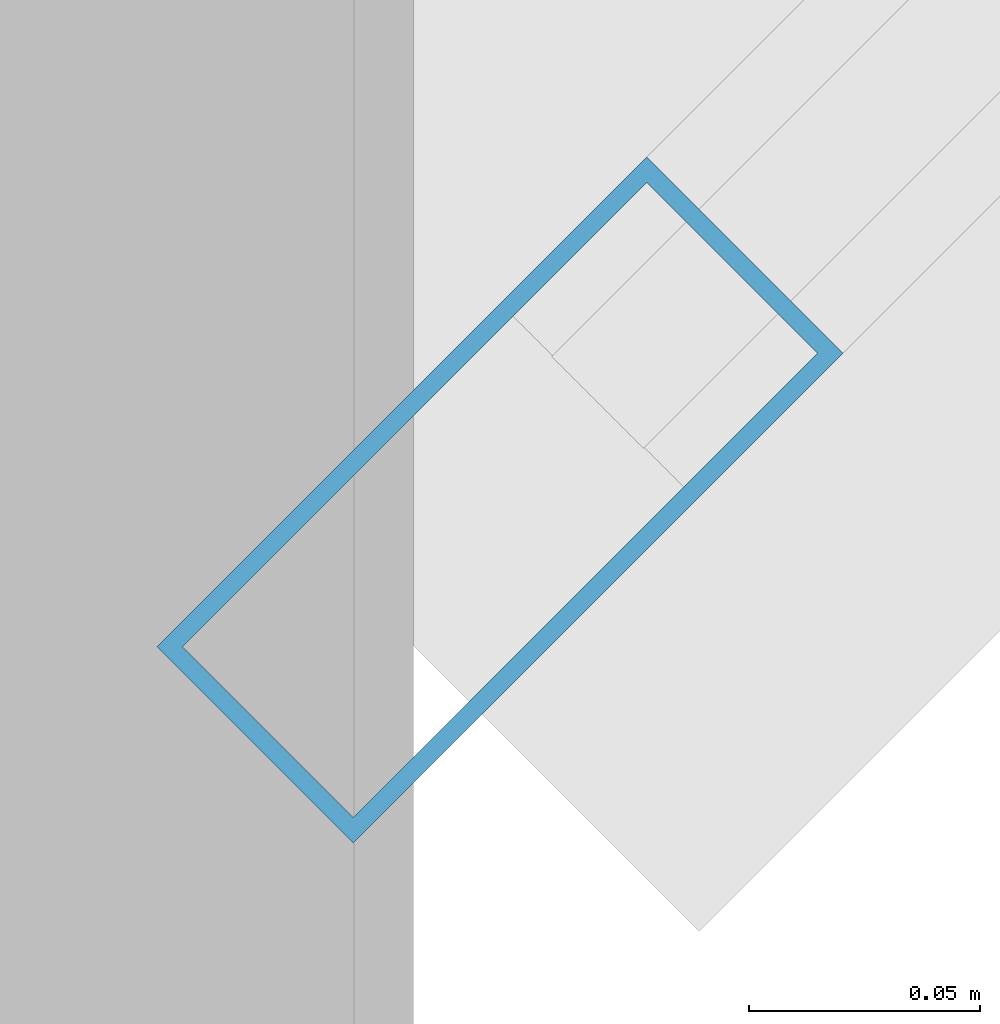
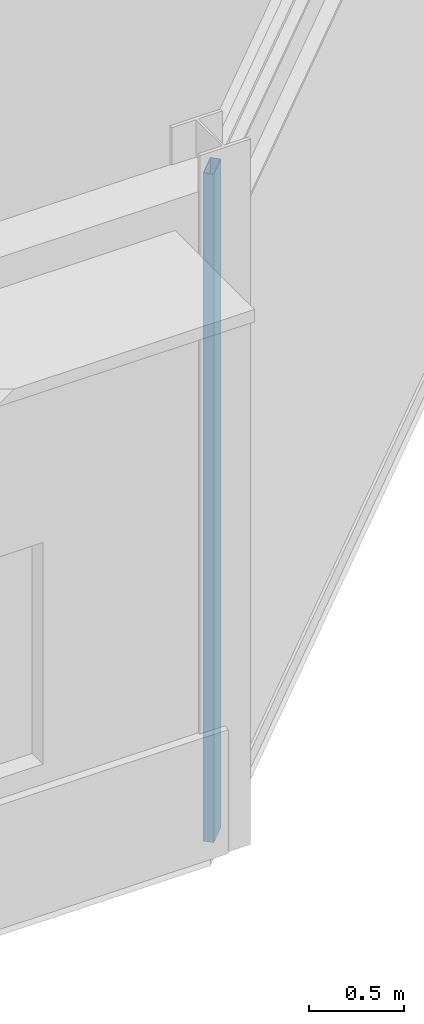
# One storey, part 7 of 50: 1 member, 1 element without a shape of its own.
"""IFC4 building model written with IfcOpenShell, lengths in metres."""

import ifcopenshell
import ifcopenshell.guid

model = None  # the IFC model being written
_history = None  # IfcOwnerHistory: only IFC2X3 demands one
_inside = {}  # id of a spatial element -> (the spatial element, [elements in it])
_under = {}  # id of a project, library or spatial element -> (it, [spatial elements below it])
_declared = {}  # id of a project -> (the project, [libraries it declares])
_typed = {}  # id of a type object -> (the type object, [elements of that type])
_made_of = {}  # id of a material, layer set ... -> (it, [elements and type objects made of it])


def new_model(schema):
    """Start an empty IFC model of exactly this schema.

    Asked for "IFC4X3", IfcOpenShell would pick the latest addendum, in which some entities
    have other attributes; the version numbers below select the first issue.
    IFC2X3 requires an IfcOwnerHistory on every rooted entity: one is made here for all.
    """
    global model, _history
    if schema == "IFC4X3":
        model = ifcopenshell.file(schema_version=(4, 3, 0, 0))
    else:
        model = ifcopenshell.file(schema=schema)
    _inside.clear()
    _under.clear()
    _declared.clear()
    _typed.clear()
    _made_of.clear()
    _history = None
    if model.schema == "IFC2X3":
        org = make("IfcOrganization", Name="unknown")
        user = make(
            "IfcPersonAndOrganization",
            ThePerson=make("IfcPerson", FamilyName="unknown"),
            TheOrganization=org,
        )
        app = make(
            "IfcApplication",
            ApplicationDeveloper=org,
            Version="unknown",
            ApplicationFullName="unknown",
            ApplicationIdentifier="unknown",
        )
        _history = make(
            "IfcOwnerHistory",
            OwningUser=user,
            OwningApplication=app,
            ChangeAction="ADDED",
            CreationDate=0,
        )
    return model


def make(cls, **values):
    """One entity of the class cls with the attributes given. An attribute that is None is left unset."""
    return model.create_entity(
        cls, **{name: value for name, value in values.items() if value is not None}
    )


def rooted(cls, **values):
    """An entity with a GlobalId (a new one), such as an element, a storey or a relation."""
    return make(cls, GlobalId=ifcopenshell.guid.new(), OwnerHistory=_history, **values)


def si_unit(unit_type, name, prefix=None):
    """IfcSIUnit, for example si_unit("LENGTHUNIT", "METRE", prefix="MILLI")."""
    return make("IfcSIUnit", UnitType=unit_type, Prefix=prefix, Name=name)


def assignment(units):
    """IfcUnitAssignment: the units of a project."""
    return None if units is None else make("IfcUnitAssignment", Units=units)


def point(xyz):
    """IfcCartesianPoint."""
    return None if xyz is None else make("IfcCartesianPoint", Coordinates=xyz)


def direction(xyz):
    """IfcDirection."""
    return None if xyz is None else make("IfcDirection", DirectionRatios=xyz)


def frame(location, z_axis=None, x_axis=None):
    """IfcAxis2Placement3D, a coordinate frame: its origin and axes. An axis left out is left unset."""
    return make(
        "IfcAxis2Placement3D",
        Location=point(location),
        Axis=direction(z_axis),
        RefDirection=direction(x_axis),
    )


def frame_2d(location, x_axis=None):
    """IfcAxis2Placement2D, a coordinate frame in the plane: its origin and x axis."""
    return make(
        "IfcAxis2Placement2D", Location=point(location), RefDirection=direction(x_axis)
    )


def origin():
    """The frame at (0, 0, 0) with its axes left unset."""
    return frame((0.0, 0.0, 0.0))


def origin_2d():
    """The frame at (0, 0) in the plane with its x axis left unset."""
    return frame_2d((0.0, 0.0))


def place(relative_to, where):
    """IfcLocalPlacement: puts the frame where relative to a parent placement (None: the world)."""
    return make(
        "IfcLocalPlacement", PlacementRelTo=relative_to, RelativePlacement=where
    )


def context(
    kind, dimensions, precision=None, world=None, true_north=None, identifier=None
):
    """IfcGeometricRepresentationContext, for example the 3D "Model" context."""
    return make(
        "IfcGeometricRepresentationContext",
        ContextIdentifier=identifier,
        ContextType=kind,
        CoordinateSpaceDimension=dimensions,
        Precision=precision,
        WorldCoordinateSystem=world,
        TrueNorth=true_north,
    )


def subcontext(parent, identifier, kind, view, scale=None):
    """IfcGeometricRepresentationSubContext, for example "Body" below "Model"."""
    return make(
        "IfcGeometricRepresentationSubContext",
        ContextIdentifier=identifier,
        ContextType=kind,
        ParentContext=parent,
        TargetScale=scale,
        TargetView=view,
    )


def project(units=None, contexts=None):
    """IfcProject with its units and contexts."""
    return rooted(
        "IfcProject",
        Name="project",
        RepresentationContexts=contexts,
        UnitsInContext=assignment(units),
    )


def spatial(cls, under=None, at=None, **own):
    """A site, building, storey or space (cls), placed at a placement, below another one or the project."""
    s = rooted(cls, ObjectPlacement=at, **own)
    if under is not None:
        _under.setdefault(under.id(), (under, []))[1].append(s)
    return s


def profile(cls, at=None, kind="AREA", **sizes):
    """A parametric profile (cls). Its sizes go by their IFC names, for example OverallWidth=200.0."""
    return make(cls, ProfileType=kind, Position=at, **sizes)


def hollow_rectangle(**sizes):
    """IfcRectangleHollowProfileDef."""
    return profile("IfcRectangleHollowProfileDef", **sizes)


def extrude(swept, where, along, depth):
    """IfcExtrudedAreaSolid: the profile swept, set in the frame where, extruded along a direction by depth."""
    return make(
        "IfcExtrudedAreaSolid",
        SweptArea=swept,
        Position=where,
        ExtrudedDirection=direction(along),
        Depth=depth,
    )


def shape(context_of_items, identifier, shape_type, items):
    """IfcShapeRepresentation: the items that make up one representation, for example the "Body"."""
    return make(
        "IfcShapeRepresentation",
        ContextOfItems=context_of_items,
        RepresentationIdentifier=identifier,
        RepresentationType=shape_type,
        Items=items,
    )


def material(Name=None, Category=None):
    """IfcMaterial."""
    return make("IfcMaterial", Name=Name, Category=Category)


def material_profile(
    of_material, cross_section, Name=None, Category=None, Priority=None
):
    """IfcMaterialProfile: a cross section and its material."""
    return make(
        "IfcMaterialProfile",
        Name=Name,
        Material=of_material,
        Profile=cross_section,
        Priority=Priority,
        Category=Category,
    )


def profile_set(profiles, Name=None, composite=None):
    """IfcMaterialProfileSet."""
    return make(
        "IfcMaterialProfileSet",
        Name=Name,
        MaterialProfiles=profiles,
        CompositeProfile=composite,
    )


def made_of(thing, what):
    """Note that an element or type object is made of a material, layer set ...; save() writes the relation."""
    if what is not None:
        _made_of.setdefault(what.id(), (what, []))[1].append(thing)
    return thing


def type_object(cls, material=None, **own):
    """A type object (cls), such as IfcWallType, which elements share."""
    return made_of(rooted(cls, **own), material)


def element(
    cls,
    number,
    at=None,
    inside=None,
    cuts=None,
    type_object=None,
    material=None,
    context=None,
    identifier="Body",
    shape_type=None,
    held_by="IfcProductDefinitionShape",
    body=None,
    shapes=None,
    **own,
):
    """One element of the class cls, such as IfcWall. Its Tag is "e" and its number.

    at: its placement. inside: the storey or other place that contains it. cuts: it is an
    opening in that element (IfcRelVoidsElement). A single representation is given by context,
    identifier, shape_type and body (its items); several are given by shapes. held_by: the class
    of the entity that holds the representations. save() writes the other relations.
    """
    e = rooted(cls, Tag="e%d" % number, ObjectPlacement=at, **own)
    if body is not None:
        shapes = [shape(context, identifier, shape_type, body)]
    if shapes is not None:
        e.Representation = make(held_by, Representations=shapes)
    if inside is not None:
        _inside.setdefault(inside.id(), (inside, []))[1].append(e)
    if cuts is not None:
        rooted(
            "IfcRelVoidsElement", RelatingBuildingElement=cuts, RelatedOpeningElement=e
        )
    if type_object is not None:
        _typed.setdefault(type_object.id(), (type_object, []))[1].append(e)
    return made_of(e, material)


def aggregate(whole, parts):
    """IfcRelAggregates: a whole, such as a stair, and the parts it consists of."""
    return rooted("IfcRelAggregates", RelatingObject=whole, RelatedObjects=parts)


def save(model, path):
    """Write the relations noted so far, then the file.

    IfcRelAggregates (storeys below a building ...), IfcRelContainedInSpatialStructure (elements
    in a storey), IfcRelDefinesByType, IfcRelAssociatesMaterial and IfcRelDeclares: one each for
    every whole, place, type object, material and project.
    """
    for whole, parts in _under.values():
        aggregate(whole, parts)
    for where, things in _inside.values():
        rooted(
            "IfcRelContainedInSpatialStructure",
            RelatedElements=things,
            RelatingStructure=where,
        )
    for kind, things in _typed.values():
        rooted("IfcRelDefinesByType", RelatedObjects=things, RelatingType=kind)
    for what, things in _made_of.values():
        rooted("IfcRelAssociatesMaterial", RelatedObjects=things, RelatingMaterial=what)
    for by, libraries in _declared.values():
        rooted("IfcRelDeclares", RelatingContext=by, RelatedDefinitions=libraries)
    model.write(path)


model = new_model("IFC4")

# Units and contexts
model_context = context("Model", 3, precision=1e-05, world=origin(), true_north=direction((0.0, 1.0)))
body_context = subcontext(model_context, "Body", "Model", "MODEL_VIEW")
ifc_project = project(units=[si_unit("LENGTHUNIT", "METRE"), si_unit("AREAUNIT", "SQUARE_METRE"), si_unit("VOLUMEUNIT", "CUBIC_METRE"), si_unit("PLANEANGLEUNIT", "RADIAN"), si_unit("MASSUNIT", "GRAM", prefix="KILO")], contexts=[model_context])

# Site, building, storey
site_placement = place(None, origin())
site = spatial("IfcSite", under=ifc_project, at=site_placement, CompositionType="ELEMENT")
building_placement = place(site_placement, origin())
building = spatial("IfcBuilding", under=site, at=building_placement, Name="Almandine Court Research Institute", CompositionType="ELEMENT")
storey_placement = place(building_placement, frame((0.0, 0.0, 23.449951171875)))
storey = spatial("IfcBuildingStorey", under=building, at=storey_placement, Name="L05", CompositionType="ELEMENT", Elevation=23.449951171875)

# Curtain wall, member
ifc_material_1 = material(Name="Unitised Curtain Wall Framing and Solar Glazing", Category="glass")
curtain_wall_type = type_object("IfcCurtainWallType", Name="CW-CWG-10", PredefinedType="USERDEFINED", material=ifc_material_1)
curtain_wall_placement = place(storey_placement, origin())
curtain_wall = element("IfcCurtainWall", 1, at=curtain_wall_placement, inside=storey, type_object=curtain_wall_type, Name="L05 Cleanroom SE Chamfer Glazing", ObjectType="UNITISED GLAZING", PredefinedType="USERDEFINED")
ifc_material_2 = material(Name="Anodised Aluminium AW-6063-T6", Category="aluminium")
ifc_material_profile = material_profile(ifc_material_2, hollow_rectangle(XDim=0.06005859375, YDim=0.14990234375, WallThickness=0.00390625, at=origin_2d()), Name="ALU RHS 60x150x4")
ifc_profile_set = profile_set([ifc_material_profile], Name="Anodised Aluminium AW-6063-T6")
member_type = type_object("IfcMemberType", Name="CWMul-60x150", PredefinedType="MULLION", material=ifc_profile_set)
member_placement = place(storey_placement, frame((30.025146484375, 84.025146484375, 0.0), z_axis=(0.0, 0.0, 1.0), x_axis=(0.707106781187, -0.707106781187, 0.0)))
member = element("IfcMember", 2, at=member_placement, type_object=member_type, Name="CWG-10 mullion 2", PredefinedType="MULLION", context=body_context, shape_type="SweptSolid", body=[
    extrude(hollow_rectangle(XDim=0.06005859375, YDim=0.14990234375, WallThickness=0.00390625, at=origin_2d()), origin(), (0.0, 0.0, 1.0), 4.31005859375),
])
aggregate(curtain_wall, [member])

save(model, "model.ifc")
